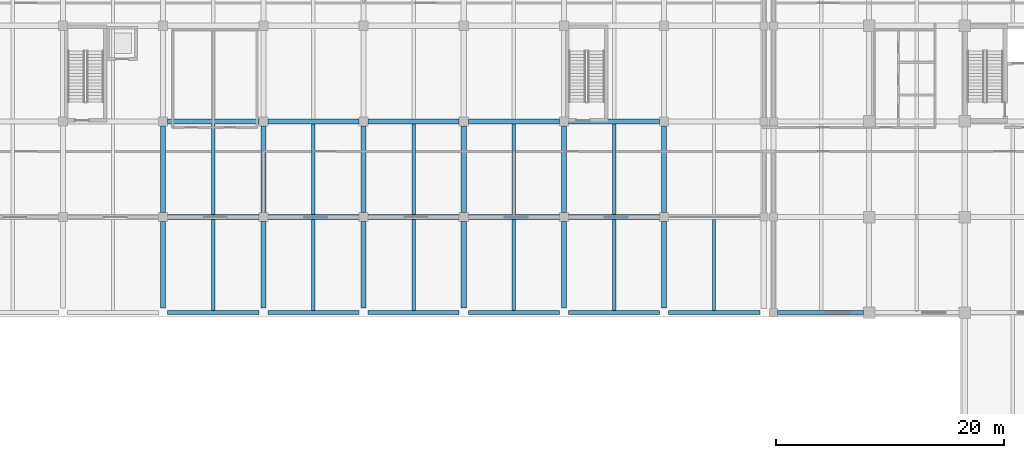
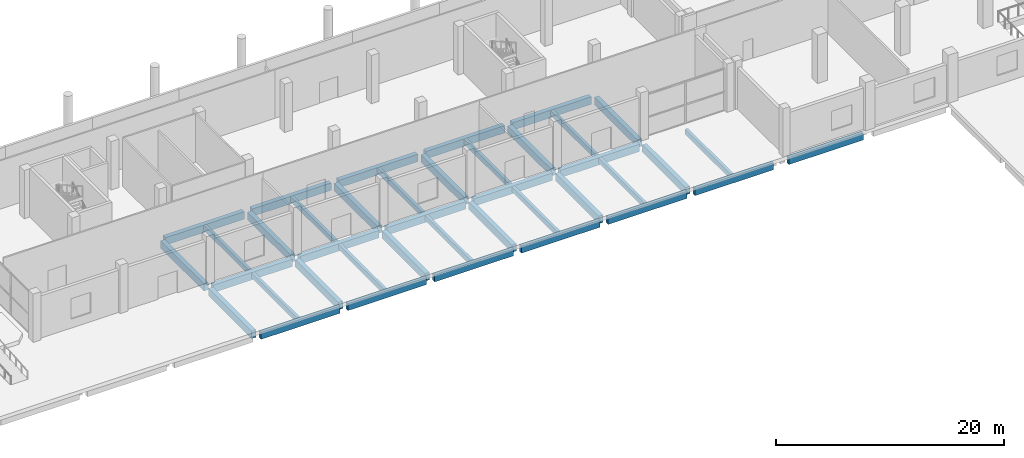
# One storey, part 12 of 34: 40 beams.
"""IFC4 building model written with IfcOpenShell, lengths in metres."""

from ifc_helpers import new_model, si_unit, direction, frame, origin, origin_2d, place, context, subcontext, project, spatial, rectangle, extrude, material, material_profile, profile_set, type_object, element, save


model = new_model("IFC4")

# Units and contexts
model_context = context("Model", 3, precision=1e-05, world=origin(), true_north=direction((0.0, 1.0)))
body_context = subcontext(model_context, "Body", "Model", "MODEL_VIEW")
ifc_project = project(units=[si_unit("LENGTHUNIT", "METRE"), si_unit("AREAUNIT", "SQUARE_METRE"), si_unit("VOLUMEUNIT", "CUBIC_METRE"), si_unit("PLANEANGLEUNIT", "RADIAN"), si_unit("MASSUNIT", "GRAM", prefix="KILO")], contexts=[model_context])

# Site, building, storey
site_placement = place(None, origin())
site = spatial("IfcSite", under=ifc_project, at=site_placement, CompositionType="ELEMENT")
building_placement = place(site_placement, origin())
building = spatial("IfcBuilding", under=site, at=building_placement, Name="Brinegate Botanical Conservatory", CompositionType="ELEMENT")
storey_placement = place(building_placement, origin())
storey = spatial("IfcBuildingStorey", under=building, at=storey_placement, Name="L01", CompositionType="ELEMENT", Elevation=0.0)

# Beams
ifc_material = material(Name="Concrete C40/50", Category="concrete")
ifc_material_profile_1 = material_profile(ifc_material, rectangle(XDim=0.449951171875, YDim=0.800048828125, at=origin_2d()), Name="RC BM 450x800")
ifc_profile_set_1 = profile_set([ifc_material_profile_1], Name="Concrete C40/50")
beam_type_1 = type_object("IfcBeamType", Name="Beam_BM-G1", PredefinedType="BEAM", material=ifc_profile_set_1)
for number, where, z_axis, x_axis, name in (
    (1, (68.800048828125, 86.800048828125, -0.804931640625), (1.0, 0.0, 0.0), (0.0, 1.0, 0.0), "Beam BM-G1 L01 L:9-10"),
    (2, (77.60009765625, 86.800048828125, -0.804931640625), (1.0, 0.0, 0.0), (0.0, 1.0, 0.0), "Beam BM-G1 L01 L:10-11"),
    (3, (86.39990234375, 86.800048828125, -0.804931640625), (1.0, 0.0, 0.0), (0.0, 1.0, 0.0), "Beam BM-G1 L01 L:11-12"),
    (4, (95.199951171875, 86.800048828125, -0.804931640625), (1.0, 0.0, 0.0), (0.0, 1.0, 0.0), "Beam BM-G1 L01 L:12-13"),
    (5, (104.0, 86.800048828125, -0.804931640625), (1.0, 0.0, 0.0), (0.0, 1.0, 0.0), "Beam BM-G1 L01 L:13-14"),
    (6, (68.800048828125, 95.199951171875, -0.804931640625), (1.0, 0.0, 0.0), (0.0, 1.0, 0.0), "Beam BM-G1 L01 M:9-10"),
    (7, (77.60009765625, 95.199951171875, -0.804931640625), (1.0, 0.0, 0.0), (0.0, 1.0, 0.0), "Beam BM-G1 L01 M:10-11"),
    (8, (86.39990234375, 95.199951171875, -0.804931640625), (1.0, 0.0, 0.0), (0.0, 1.0, 0.0), "Beam BM-G1 L01 M:11-12"),
    (9, (95.199951171875, 95.199951171875, -0.804931640625), (1.0, 0.0, 0.0), (0.0, 1.0, 0.0), "Beam BM-G1 L01 M:12-13"),
    (10, (104.0, 95.199951171875, -0.804931640625), (1.0, 0.0, 0.0), (0.0, 1.0, 0.0), "Beam BM-G1 L01 M:13-14"),
):
    element("IfcBeam", number, at=place(storey_placement, frame(where, z_axis=z_axis, x_axis=x_axis)), inside=storey, type_object=beam_type_1, Name=name, PredefinedType="BEAM", context=body_context, shape_type="SweptSolid", body=[
        extrude(rectangle(XDim=0.449951171875, YDim=0.800048828125, at=origin_2d()), origin(), (0.0, 0.0, 1.0), 8.0),
    ])
beam_1_placement = place(storey_placement, frame((68.39990234375, 78.800048828125, -0.804931640625), z_axis=(0.0, 1.0, 0.0), x_axis=(-1.0, 0.0, 0.0)))
element("IfcBeam", 11, at=beam_1_placement, inside=storey, type_object=beam_type_1, Name="Beam BM-G1 L01 9:K-L", PredefinedType="BEAM", context=body_context, shape_type="SweptSolid", body=[
    extrude(rectangle(XDim=0.449951171875, YDim=0.800048828125, at=origin_2d()), origin(), (0.0, 0.0, 1.0), 7.599853515625),
])
beam_2_placement = place(storey_placement, frame((68.39990234375, 87.199951171875, -0.804931640625), z_axis=(0.0, 1.0, 0.0), x_axis=(-1.0, 0.0, 0.0)))
element("IfcBeam", 12, at=beam_2_placement, inside=storey, type_object=beam_type_1, Name="Beam BM-G1 L01 9:L-M", PredefinedType="BEAM", context=body_context, shape_type="SweptSolid", body=[
    extrude(rectangle(XDim=0.449951171875, YDim=0.800048828125, at=origin_2d()), origin(), (0.0, 0.0, 1.0), 7.60009765625),
])
beam_3_placement = place(storey_placement, frame((77.199951171875, 78.800048828125, -0.804931640625), z_axis=(0.0, 1.0, 0.0), x_axis=(-1.0, 0.0, 0.0)))
element("IfcBeam", 13, at=beam_3_placement, inside=storey, type_object=beam_type_1, Name="Beam BM-G1 L01 10:K-L", PredefinedType="BEAM", context=body_context, shape_type="SweptSolid", body=[
    extrude(rectangle(XDim=0.449951171875, YDim=0.800048828125, at=origin_2d()), origin(), (0.0, 0.0, 1.0), 7.599853515625),
])
beam_4_placement = place(storey_placement, frame((77.199951171875, 87.199951171875, -0.804931640625), z_axis=(0.0, 1.0, 0.0), x_axis=(-1.0, 0.0, 0.0)))
element("IfcBeam", 14, at=beam_4_placement, inside=storey, type_object=beam_type_1, Name="Beam BM-G1 L01 10:L-M", PredefinedType="BEAM", context=body_context, shape_type="SweptSolid", body=[
    extrude(rectangle(XDim=0.449951171875, YDim=0.800048828125, at=origin_2d()), origin(), (0.0, 0.0, 1.0), 7.60009765625),
])
beam_5_placement = place(storey_placement, frame((86.0, 78.800048828125, -0.804931640625), z_axis=(0.0, 1.0, 0.0), x_axis=(-1.0, 0.0, 0.0)))
element("IfcBeam", 15, at=beam_5_placement, inside=storey, type_object=beam_type_1, Name="Beam BM-G1 L01 11:K-L", PredefinedType="BEAM", context=body_context, shape_type="SweptSolid", body=[
    extrude(rectangle(XDim=0.449951171875, YDim=0.800048828125, at=origin_2d()), origin(), (0.0, 0.0, 1.0), 7.599853515625),
])
beam_6_placement = place(storey_placement, frame((86.0, 87.199951171875, -0.804931640625), z_axis=(0.0, 1.0, 0.0), x_axis=(-1.0, 0.0, 0.0)))
element("IfcBeam", 16, at=beam_6_placement, inside=storey, type_object=beam_type_1, Name="Beam BM-G1 L01 11:L-M", PredefinedType="BEAM", context=body_context, shape_type="SweptSolid", body=[
    extrude(rectangle(XDim=0.449951171875, YDim=0.800048828125, at=origin_2d()), origin(), (0.0, 0.0, 1.0), 7.60009765625),
])
beam_7_placement = place(storey_placement, frame((94.800048828125, 78.800048828125, -0.804931640625), z_axis=(0.0, 1.0, 0.0), x_axis=(-1.0, 0.0, 0.0)))
element("IfcBeam", 17, at=beam_7_placement, inside=storey, type_object=beam_type_1, Name="Beam BM-G1 L01 12:K-L", PredefinedType="BEAM", context=body_context, shape_type="SweptSolid", body=[
    extrude(rectangle(XDim=0.449951171875, YDim=0.800048828125, at=origin_2d()), origin(), (0.0, 0.0, 1.0), 7.599853515625),
])
beam_8_placement = place(storey_placement, frame((94.800048828125, 87.199951171875, -0.804931640625), z_axis=(0.0, 1.0, 0.0), x_axis=(-1.0, 0.0, 0.0)))
element("IfcBeam", 18, at=beam_8_placement, inside=storey, type_object=beam_type_1, Name="Beam BM-G1 L01 12:L-M", PredefinedType="BEAM", context=body_context, shape_type="SweptSolid", body=[
    extrude(rectangle(XDim=0.449951171875, YDim=0.800048828125, at=origin_2d()), origin(), (0.0, 0.0, 1.0), 7.60009765625),
])
beam_9_placement = place(storey_placement, frame((103.60009765625, 78.800048828125, -0.804931640625), z_axis=(0.0, 1.0, 0.0), x_axis=(-1.0, 0.0, 0.0)))
element("IfcBeam", 19, at=beam_9_placement, inside=storey, type_object=beam_type_1, Name="Beam BM-G1 L01 13:K-L", PredefinedType="BEAM", context=body_context, shape_type="SweptSolid", body=[
    extrude(rectangle(XDim=0.449951171875, YDim=0.800048828125, at=origin_2d()), origin(), (0.0, 0.0, 1.0), 7.599853515625),
])
beam_10_placement = place(storey_placement, frame((103.60009765625, 87.199951171875, -0.804931640625), z_axis=(0.0, 1.0, 0.0), x_axis=(-1.0, 0.0, 0.0)))
element("IfcBeam", 20, at=beam_10_placement, inside=storey, type_object=beam_type_1, Name="Beam BM-G1 L01 13:L-M", PredefinedType="BEAM", context=body_context, shape_type="SweptSolid", body=[
    extrude(rectangle(XDim=0.449951171875, YDim=0.800048828125, at=origin_2d()), origin(), (0.0, 0.0, 1.0), 7.60009765625),
])
beam_11_placement = place(storey_placement, frame((112.39990234375, 78.800048828125, -0.804931640625), z_axis=(0.0, 1.0, 0.0), x_axis=(-1.0, 0.0, 0.0)))
element("IfcBeam", 21, at=beam_11_placement, inside=storey, type_object=beam_type_1, Name="Beam BM-G1 L01 14:K-L", PredefinedType="BEAM", context=body_context, shape_type="SweptSolid", body=[
    extrude(rectangle(XDim=0.449951171875, YDim=0.800048828125, at=origin_2d()), origin(), (0.0, 0.0, 1.0), 7.599853515625),
])
beam_12_placement = place(storey_placement, frame((112.39990234375, 87.199951171875, -0.804931640625), z_axis=(0.0, 1.0, 0.0), x_axis=(-1.0, 0.0, 0.0)))
element("IfcBeam", 22, at=beam_12_placement, inside=storey, type_object=beam_type_1, Name="Beam BM-G1 L01 14:L-M", PredefinedType="BEAM", context=body_context, shape_type="SweptSolid", body=[
    extrude(rectangle(XDim=0.449951171875, YDim=0.800048828125, at=origin_2d()), origin(), (0.0, 0.0, 1.0), 7.60009765625),
])
ifc_material_profile_2 = material_profile(ifc_material, rectangle(XDim=0.300048828125, YDim=0.550048828125, at=origin_2d()), Name="RC JST 300x550")
ifc_profile_set_2 = profile_set([ifc_material_profile_2], Name="Concrete C40/50")
beam_type_2 = type_object("IfcBeamType", Name="Beam_JS-C1", PredefinedType="JOIST", material=ifc_profile_set_2)
beam_13_placement = place(storey_placement, frame((72.800048828125, 78.574951171875, -0.679931640625), z_axis=(0.0, 1.0, 0.0), x_axis=(-1.0, 0.0, 0.0)))
element("IfcBeam", 23, at=beam_13_placement, inside=storey, type_object=beam_type_2, Name="Floor joist JS-C1 L01 bay 9.10", PredefinedType="JOIST", context=body_context, shape_type="SweptSolid", body=[
    extrude(rectangle(XDim=0.300048828125, YDim=0.550048828125, at=origin_2d()), origin(), (0.0, 0.0, 1.0), 8.0),
])
beam_14_placement = place(storey_placement, frame((72.800048828125, 87.02490234375, -0.679931640625), z_axis=(0.0, 1.0, 0.0), x_axis=(-1.0, 0.0, 0.0)))
element("IfcBeam", 24, at=beam_14_placement, inside=storey, type_object=beam_type_2, Name="Floor joist JS-C1 L01 bay 9.11", PredefinedType="JOIST", context=body_context, shape_type="SweptSolid", body=[
    extrude(rectangle(XDim=0.300048828125, YDim=0.550048828125, at=origin_2d()), origin(), (0.0, 0.0, 1.0), 7.9501953125),
])
beam_15_placement = place(storey_placement, frame((81.60009765625, 78.574951171875, -0.679931640625), z_axis=(0.0, 1.0, 0.0), x_axis=(-1.0, 0.0, 0.0)))
element("IfcBeam", 25, at=beam_15_placement, inside=storey, type_object=beam_type_2, Name="Floor joist JS-C1 L01 bay 10.10", PredefinedType="JOIST", context=body_context, shape_type="SweptSolid", body=[
    extrude(rectangle(XDim=0.300048828125, YDim=0.550048828125, at=origin_2d()), origin(), (0.0, 0.0, 1.0), 8.0),
])
beam_16_placement = place(storey_placement, frame((81.60009765625, 87.02490234375, -0.679931640625), z_axis=(0.0, 1.0, 0.0), x_axis=(-1.0, 0.0, 0.0)))
element("IfcBeam", 26, at=beam_16_placement, inside=storey, type_object=beam_type_2, Name="Floor joist JS-C1 L01 bay 10.11", PredefinedType="JOIST", context=body_context, shape_type="SweptSolid", body=[
    extrude(rectangle(XDim=0.300048828125, YDim=0.550048828125, at=origin_2d()), origin(), (0.0, 0.0, 1.0), 7.9501953125),
])
beam_17_placement = place(storey_placement, frame((90.39990234375, 78.574951171875, -0.679931640625), z_axis=(0.0, 1.0, 0.0), x_axis=(-1.0, 0.0, 0.0)))
element("IfcBeam", 27, at=beam_17_placement, inside=storey, type_object=beam_type_2, Name="Floor joist JS-C1 L01 bay 11.10", PredefinedType="JOIST", context=body_context, shape_type="SweptSolid", body=[
    extrude(rectangle(XDim=0.300048828125, YDim=0.550048828125, at=origin_2d()), origin(), (0.0, 0.0, 1.0), 8.0),
])
beam_18_placement = place(storey_placement, frame((90.39990234375, 87.02490234375, -0.679931640625), z_axis=(0.0, 1.0, 0.0), x_axis=(-1.0, 0.0, 0.0)))
element("IfcBeam", 28, at=beam_18_placement, inside=storey, type_object=beam_type_2, Name="Floor joist JS-C1 L01 bay 11.11", PredefinedType="JOIST", context=body_context, shape_type="SweptSolid", body=[
    extrude(rectangle(XDim=0.300048828125, YDim=0.550048828125, at=origin_2d()), origin(), (0.0, 0.0, 1.0), 7.9501953125),
])
beam_19_placement = place(storey_placement, frame((99.199951171875, 78.574951171875, -0.679931640625), z_axis=(0.0, 1.0, 0.0), x_axis=(-1.0, 0.0, 0.0)))
element("IfcBeam", 29, at=beam_19_placement, inside=storey, type_object=beam_type_2, Name="Floor joist JS-C1 L01 bay 12.10", PredefinedType="JOIST", context=body_context, shape_type="SweptSolid", body=[
    extrude(rectangle(XDim=0.300048828125, YDim=0.550048828125, at=origin_2d()), origin(), (0.0, 0.0, 1.0), 8.0),
])
beam_20_placement = place(storey_placement, frame((99.199951171875, 87.02490234375, -0.679931640625), z_axis=(0.0, 1.0, 0.0), x_axis=(-1.0, 0.0, 0.0)))
element("IfcBeam", 30, at=beam_20_placement, inside=storey, type_object=beam_type_2, Name="Floor joist JS-C1 L01 bay 12.11", PredefinedType="JOIST", context=body_context, shape_type="SweptSolid", body=[
    extrude(rectangle(XDim=0.300048828125, YDim=0.550048828125, at=origin_2d()), origin(), (0.0, 0.0, 1.0), 7.9501953125),
])
beam_21_placement = place(storey_placement, frame((108.0, 78.574951171875, -0.679931640625), z_axis=(0.0, 1.0, 0.0), x_axis=(-1.0, 0.0, 0.0)))
element("IfcBeam", 31, at=beam_21_placement, inside=storey, type_object=beam_type_2, Name="Floor joist JS-C1 L01 bay 13.10", PredefinedType="JOIST", context=body_context, shape_type="SweptSolid", body=[
    extrude(rectangle(XDim=0.300048828125, YDim=0.550048828125, at=origin_2d()), origin(), (0.0, 0.0, 1.0), 8.0),
])
beam_22_placement = place(storey_placement, frame((108.0, 87.02490234375, -0.679931640625), z_axis=(0.0, 1.0, 0.0), x_axis=(-1.0, 0.0, 0.0)))
element("IfcBeam", 32, at=beam_22_placement, inside=storey, type_object=beam_type_2, Name="Floor joist JS-C1 L01 bay 13.11", PredefinedType="JOIST", context=body_context, shape_type="SweptSolid", body=[
    extrude(rectangle(XDim=0.300048828125, YDim=0.550048828125, at=origin_2d()), origin(), (0.0, 0.0, 1.0), 7.9501953125),
])
beam_23_placement = place(storey_placement, frame((116.77490234375, 78.574951171875, -0.679931640625), z_axis=(0.0, 1.0, 0.0), x_axis=(-1.0, 0.0, 0.0)))
element("IfcBeam", 33, at=beam_23_placement, inside=storey, type_object=beam_type_2, Name="Floor joist JS-C1 L01 bay 14.10", PredefinedType="JOIST", context=body_context, shape_type="SweptSolid", body=[
    extrude(rectangle(XDim=0.300048828125, YDim=0.550048828125, at=origin_2d()), origin(), (0.0, 0.0, 1.0), 8.0),
])
ifc_material_profile_3 = material_profile(ifc_material, rectangle(XDim=0.35009765625, YDim=0.75, at=origin_2d()), Name="RC SPN 350x750")
ifc_profile_set_3 = profile_set([ifc_material_profile_3], Name="Concrete C40/50")
beam_type_3 = type_object("IfcBeamType", Name="Beam_SP-01", PredefinedType="SPANDREL", material=ifc_profile_set_3)
for number, where, z_axis, x_axis, name in (
    (34, (68.800048828125, 78.39990234375, -0.780029296875), (1.0, 0.0, 0.0), (0.0, 1.0, 0.0), "Beam SP-01 L01 K:9-10"),
    (35, (77.60009765625, 78.39990234375, -0.780029296875), (1.0, 0.0, 0.0), (0.0, 1.0, 0.0), "Beam SP-01 L01 K:10-11"),
    (36, (86.39990234375, 78.39990234375, -0.780029296875), (1.0, 0.0, 0.0), (0.0, 1.0, 0.0), "Beam SP-01 L01 K:11-12"),
    (37, (95.199951171875, 78.39990234375, -0.780029296875), (1.0, 0.0, 0.0), (0.0, 1.0, 0.0), "Beam SP-01 L01 K:12-13"),
    (38, (104.0, 78.39990234375, -0.780029296875), (1.0, 0.0, 0.0), (0.0, 1.0, 0.0), "Beam SP-01 L01 K:13-14"),
    (39, (112.800048828125, 78.39990234375, -0.780029296875), (1.0, 0.0, 0.0), (0.0, 1.0, 0.0), "Beam SP-01 L01 K:14-15"),
):
    element("IfcBeam", number, at=place(storey_placement, frame(where, z_axis=z_axis, x_axis=x_axis)), inside=storey, type_object=beam_type_3, Name=name, PredefinedType="SPANDREL", context=body_context, shape_type="SweptSolid", body=[
        extrude(rectangle(XDim=0.35009765625, YDim=0.75, at=origin_2d()), origin(), (0.0, 0.0, 1.0), 8.0),
    ])
beam_24_placement = place(storey_placement, frame((122.35009765625, 78.39990234375, -0.780029296875), z_axis=(1.0, 0.0, 0.0), x_axis=(0.0, 1.0, 0.0)))
element("IfcBeam", 40, at=beam_24_placement, inside=storey, type_object=beam_type_3, Name="Beam SP-01 L01 K:16-17", PredefinedType="SPANDREL", context=body_context, shape_type="SweptSolid", body=[
    extrude(rectangle(XDim=0.35009765625, YDim=0.75, at=origin_2d()), origin(), (0.0, 0.0, 1.0), 7.5498046875),
])

save(model, "model.ifc")
